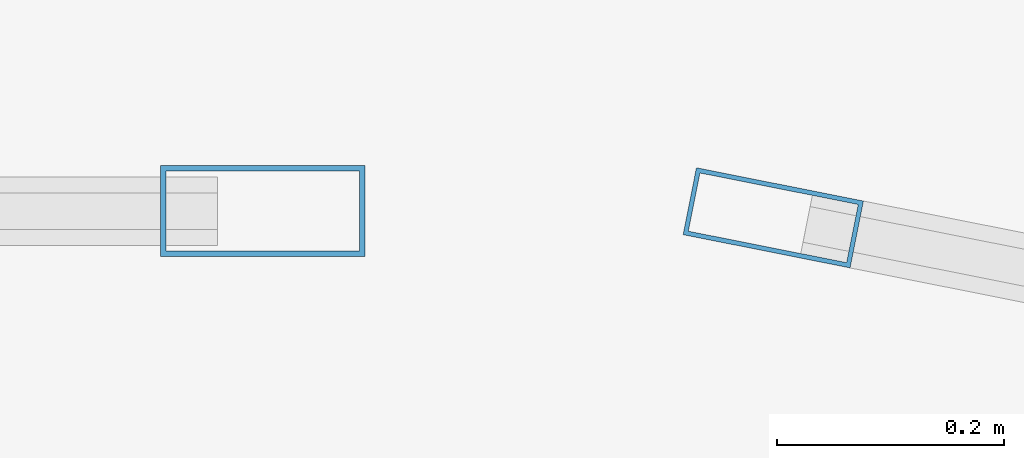
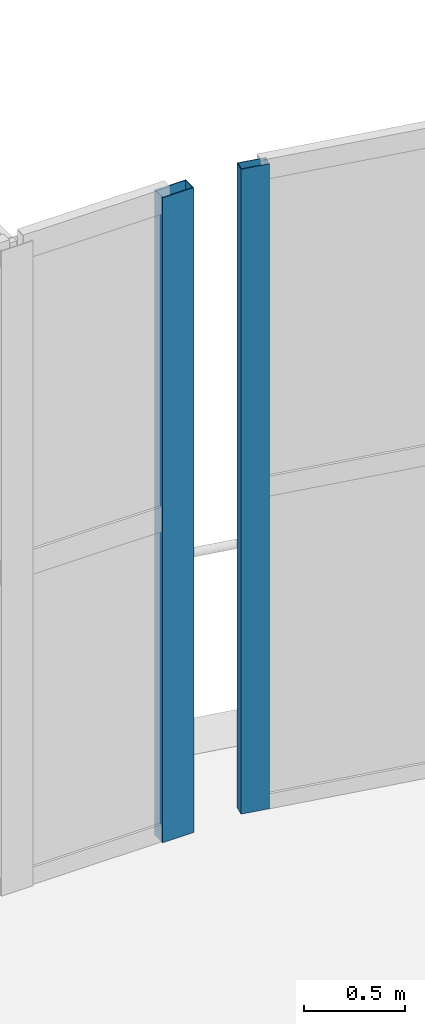
# One storey, part 30 of 56: 2 members, 2 elements without a shape of their own.
"""IFC4 building model written with IfcOpenShell, lengths in metres."""

from ifc_helpers import new_model, si_unit, direction, frame, origin, origin_2d, place, context, subcontext, project, spatial, hollow_rectangle, extrude, material, layer, layer_set, material_profile, profile_set, type_object, element, aggregate, save


model = new_model("IFC4")

# Units and contexts
model_context = context("Model", 3, precision=1e-05, world=origin(), true_north=direction((0.0, 1.0)))
body_context = subcontext(model_context, "Body", "Model", "MODEL_VIEW")
ifc_project = project(units=[si_unit("LENGTHUNIT", "METRE"), si_unit("AREAUNIT", "SQUARE_METRE"), si_unit("VOLUMEUNIT", "CUBIC_METRE"), si_unit("PLANEANGLEUNIT", "RADIAN"), si_unit("MASSUNIT", "GRAM", prefix="KILO")], contexts=[model_context])

# Site, building, storey
site_placement = place(None, origin())
site = spatial("IfcSite", under=ifc_project, at=site_placement, CompositionType="ELEMENT")
building_placement = place(site_placement, origin())
building = spatial("IfcBuilding", under=site, at=building_placement, Name="Zizhar Promenade General Hospital", CompositionType="ELEMENT")
storey_placement = place(building_placement, frame((0.0, 0.0, 26.39990234375)))
storey = spatial("IfcBuildingStorey", under=building, at=storey_placement, Name="L06", CompositionType="ELEMENT", Elevation=26.39990234375)

# Curtain wall, member
ifc_material_1 = material(Name="Anodised aluminium 6063-T6 and low-E glass", Category="aluminium")
ifc_layer_1 = layer(ifc_material_1, 0.159912109375)
ifc_layer_set_1 = layer_set([ifc_layer_1], Name="Anodised aluminium 6063-T6 and low-E glass")
curtain_wall_type_1 = type_object("IfcCurtainWallType", Name="CW-WARD-ARC", PredefinedType="NOTDEFINED", material=ifc_layer_set_1)
curtain_wall_1_placement = place(storey_placement, origin())
curtain_wall_1 = element("IfcCurtainWall", 1, at=curtain_wall_1_placement, inside=storey, type_object=curtain_wall_type_1, Name="Ward Semicircular End Glazing L06-08", PredefinedType="NOTDEFINED")
ifc_material_2 = material(Name="Anodised aluminium 6063-T6", Category="aluminium")
ifc_material_profile_1 = material_profile(ifc_material_2, hollow_rectangle(XDim=0.06005859375, YDim=0.14990234375, WallThickness=0.00390625, at=origin_2d()))
ifc_profile_set_1 = profile_set([ifc_material_profile_1], Name="Anodised aluminium 6063-T6")
member_type_1 = type_object("IfcMemberType", Name="CWM-ALU-150x60", PredefinedType="MULLION", material=ifc_profile_set_1)
member_1_placement = place(storey_placement, frame((114.029541015625, 25.194091796875, 0.0), z_axis=(0.0, 0.0, 1.0), x_axis=(0.195087259275, 0.980785889615, 0.0)))
member_1 = element("IfcMember", 2, at=member_1_placement, type_object=member_type_1, Name="CW-12 mullion 1", PredefinedType="MULLION", context=body_context, shape_type="SweptSolid", body=[
    extrude(hollow_rectangle(XDim=0.06005859375, YDim=0.14990234375, WallThickness=0.00390625, at=origin_2d()), origin(), (0.0, 0.0, 1.0), 3.900146484375),
])
aggregate(curtain_wall_1, [member_1])

ifc_material_3 = material(Name="Anodised aluminium 6063-T6 and low-E glass", Category="aluminium")
ifc_layer_2 = layer(ifc_material_3, 0.159912109375)
ifc_layer_set_2 = layer_set([ifc_layer_2], Name="Anodised aluminium 6063-T6 and low-E glass")
curtain_wall_type_2 = type_object("IfcCurtainWallType", Name="CW-WARD-RIB", PredefinedType="NOTDEFINED", material=ifc_layer_set_2)
curtain_wall_2_placement = place(storey_placement, origin())
curtain_wall_2 = element("IfcCurtainWall", 3, at=curtain_wall_2_placement, inside=storey, type_object=curtain_wall_type_2, Name="Ward Ribbon Curtain Wall L06-8-10", PredefinedType="NOTDEFINED")
ifc_material_4 = material(Name="Anodised aluminium 6063-T6", Category="aluminium")
ifc_material_profile_2 = material_profile(ifc_material_4, hollow_rectangle(XDim=0.080078125, YDim=0.179931640625, WallThickness=0.0048828125, at=origin_2d()))
ifc_profile_set_2 = profile_set([ifc_material_profile_2], Name="Anodised aluminium 6063-T6")
member_type_2 = type_object("IfcMemberType", Name="CWM-ALU-180x80", PredefinedType="MULLION", material=ifc_profile_set_2)
member_2_placement = place(storey_placement, frame((113.580078125, 25.199951171875, 0.0), z_axis=(0.0, 0.0, 1.0), x_axis=(0.0, 1.0, 0.0)))
member_2 = element("IfcMember", 4, at=member_2_placement, type_object=member_type_2, Name="CW-13 mullion 5", PredefinedType="MULLION", context=body_context, shape_type="SweptSolid", body=[
    extrude(hollow_rectangle(XDim=0.080078125, YDim=0.179931640625, WallThickness=0.0048828125, at=origin_2d()), origin(), (0.0, 0.0, 1.0), 3.900146484375),
])
aggregate(curtain_wall_2, [member_2])

save(model, "model.ifc")
